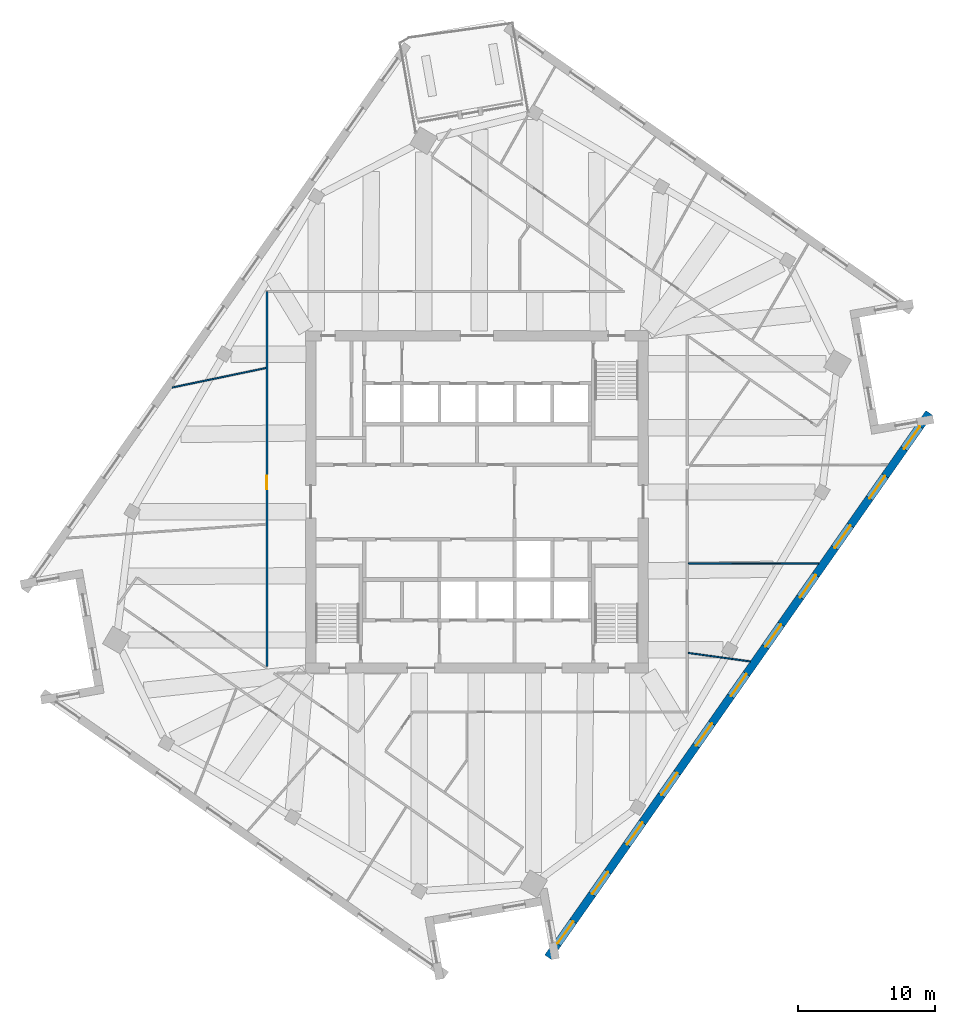
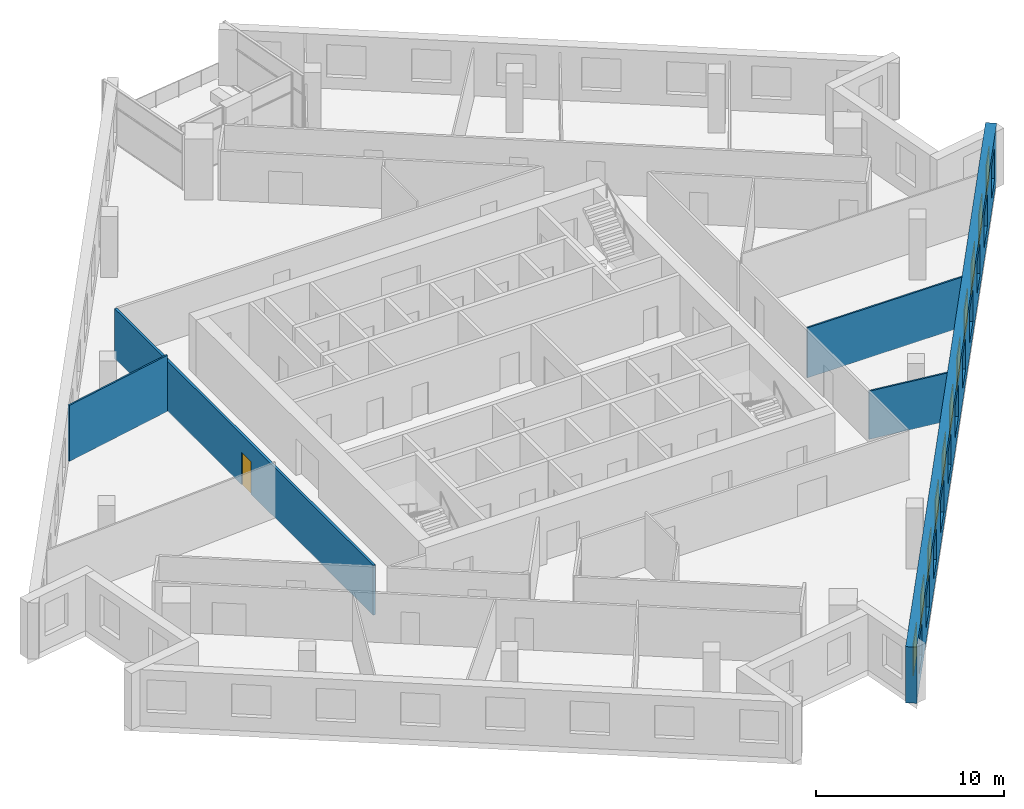
# One storey, part 8 of 13: 11 windows, 5 walls, 1 door, 12 openings.
"""IFC4 building model written with IfcOpenShell, lengths in metres."""

from ifc_helpers import new_model, si_unit, direction, frame, frame_2d, origin, place, context, subcontext, project, spatial, rectangle, extrude, material, layer, layer_set, type_object, element, fill, save


model = new_model("IFC4")

# Units and contexts
model_context = context("Model", 3, precision=1e-05, world=origin(), true_north=direction((0.0, 1.0)))
body_context = subcontext(model_context, "Body", "Model", "MODEL_VIEW")
ifc_project = project(units=[si_unit("LENGTHUNIT", "METRE"), si_unit("AREAUNIT", "SQUARE_METRE"), si_unit("VOLUMEUNIT", "CUBIC_METRE"), si_unit("PLANEANGLEUNIT", "RADIAN"), si_unit("MASSUNIT", "GRAM", prefix="KILO")], contexts=[model_context])

# Site, building, storey
site_placement = place(None, origin())
site = spatial("IfcSite", under=ifc_project, at=site_placement, CompositionType="ELEMENT")
building_placement = place(site_placement, origin())
building = spatial("IfcBuilding", under=site, at=building_placement, Name="Dilmun Exchange Tower", CompositionType="ELEMENT")
storey_placement = place(building_placement, frame((0.0, 0.0, 250.89990234375)))
storey = spatial("IfcBuildingStorey", under=building, at=storey_placement, Name="L59", CompositionType="ELEMENT", Elevation=250.89990234375)

# Wall, opening, door
ifc_material_1 = material(Name="Corridor wall 150")
ifc_layer_1 = layer(ifc_material_1, 0.14990234375)
ifc_layer_set_1 = layer_set([ifc_layer_1], Name="Corridor wall 150")
wall_type_1 = type_object("IfcWallType", Name="Corridor wall 150", PredefinedType="PARTITIONING", material=ifc_layer_set_1)
wall_1_placement = place(storey_placement, frame((-15.39990234375, -12.0458984375, 0.0), z_axis=(0.0, 0.0, 1.0), x_axis=(0.0, 1.0, 0.0)))
wall_1 = element("IfcWall", 1, at=wall_1_placement, inside=storey, type_object=wall_type_1, Name="Corridor wall", PredefinedType="PARTITIONING", context=body_context, shape_type="SweptSolid", body=[
    extrude(rectangle(XDim=27.44580078125, YDim=0.14990234375, at=frame_2d((13.722900390625, 0.0))), origin(), (0.0, 0.0, 1.0), 3.239990234375),
])
opening_1_placement = place(wall_1_placement, frame((12.9609375, 0.0, 0.0)))
opening_1 = element("IfcOpeningElement", 2, at=opening_1_placement, cuts=wall_1, Name="Opening TF57-D03", PredefinedType="OPENING", context=body_context, shape_type="SweptSolid", body=[
    extrude(rectangle(XDim=1.0, YDim=2.10009765625, at=frame_2d((0.5, 1.050048828125))), frame((0.0, 0.0849609375, 0.0), z_axis=(0.0, -1.0, 0.0), x_axis=(1.0, 0.0, 0.0)), (0.0, 0.0, 1.0), 0.169921875),
])
ifc_material_2 = material(Name="Fire door 1000 x 2100")
door_type = type_object("IfcDoorType", Name="Fire door 1000 x 2100", OperationType="NOTDEFINED", PredefinedType="DOOR", material=ifc_material_2)
door_placement = place(opening_1_placement, origin())
door = element("IfcDoor", 3, at=door_placement, inside=storey, type_object=door_type, Name="Door TF57-D03", OperationType="SINGLE_SWING_LEFT", OverallHeight=2.10009765625, OverallWidth=1.0, PredefinedType="DOOR", context=body_context, shape_type="SweptSolid", body=[
    extrude(rectangle(XDim=1.0, YDim=2.10009765625, at=frame_2d((0.5, 1.050048828125))), frame((0.0, 0.02490234375, 0.0), z_axis=(0.0, -1.0, 0.0), x_axis=(1.0, 0.0, 0.0)), (0.0, 0.0, 1.0), 0.050048828125),
])
fill(opening_1, door)

# Walls
ifc_material_3 = material(Name="Partition 100")
ifc_layer_2 = layer(ifc_material_3, 0.10009765625)
ifc_layer_set_2 = layer_set([ifc_layer_2], Name="Partition 100")
wall_type_2 = type_object("IfcWallType", Name="Partition 100", PredefinedType="PARTITIONING", material=ifc_layer_set_2)
wall_2_placement = place(storey_placement, frame((-22.331298828125, 8.3779296875, 0.0), z_axis=(0.0, 0.0, 1.0), x_axis=(0.97903673151, 0.203683770474, 0.0)))
element("IfcWall", 4, at=wall_2_placement, inside=storey, type_object=wall_type_2, Name="Partition", PredefinedType="PARTITIONING", context=body_context, shape_type="SweptSolid", body=[
    extrude(rectangle(XDim=6.99267578125, YDim=0.10009765625, at=frame_2d((3.496337890625, 0.0))), origin(), (0.0, 0.0, 1.0), 3.64013671875),
])
wall_3_placement = place(storey_placement, frame((15.481689453125, -11.068115234375, 0.0), z_axis=(0.0, 0.0, 1.0), x_axis=(0.990680100766, -0.136209169832, 0.0)))
element("IfcWall", 5, at=wall_3_placement, inside=storey, type_object=wall_type_2, Name="Partition", PredefinedType="PARTITIONING", context=body_context, shape_type="SweptSolid", body=[
    extrude(rectangle(XDim=4.572509765625, YDim=0.10009765625, at=frame_2d((2.2861328125, 0.0))), origin(), (0.0, 0.0, 1.0), 3.1201171875),
])
wall_4_placement = place(storey_placement, frame((15.47509765625, -4.502197265625, 0.0), z_axis=(0.0, 0.0, 1.0), x_axis=(0.999996329774, -0.00270932448, 0.0)))
element("IfcWall", 6, at=wall_4_placement, inside=storey, type_object=wall_type_2, Name="Partition", PredefinedType="PARTITIONING", context=body_context, shape_type="SweptSolid", body=[
    extrude(rectangle(XDim=9.5517578125, YDim=0.10009765625, at=frame_2d((4.77587890625, 0.0))), origin(), (0.0, 0.0, 1.0), 3.239990234375),
])

# Wall, openings, windows
ifc_material_4 = material(Name="Precast concrete C50/60", Category="concrete")
ifc_layer_3 = layer(ifc_material_4, 0.60009765625)
ifc_layer_set_3 = layer_set([ifc_layer_3], Name="Precast concrete C50/60")
wall_type_3 = type_object("IfcWallType", Name="Precast stone-clad wall 600", PredefinedType="STANDARD", material=ifc_layer_set_3)
wall_5_placement = place(storey_placement, frame((5.20556640625, -33.3623046875, 0.0), z_axis=(0.0, 0.0, 1.0), x_axis=(0.573577438409, 0.81915134264, 0.0)))
wall_5 = element("IfcWall", 7, at=wall_5_placement, inside=storey, type_object=wall_type_3, Name="Facade wall L59-11", PredefinedType="STANDARD", context=body_context, shape_type="SweptSolid", body=[
    extrude(rectangle(XDim=48.686279296875, YDim=0.60009765625, at=frame_2d((24.34326171875, 0.0))), origin(), (0.0, 0.0, 1.0), 3.64013671875),
])
opening_2_placement = place(wall_5_placement, frame((1.212890625, 0.0, 0.89990234375)))
opening_2 = element("IfcOpeningElement", 8, at=opening_2_placement, cuts=wall_5, Name="Opening W200-210", PredefinedType="OPENING", context=body_context, shape_type="SweptSolid", body=[
    extrude(rectangle(XDim=2.0, YDim=2.10009765625, at=frame_2d((1.0, 1.050048828125))), frame((0.0, 0.31005859375, 0.0), z_axis=(0.0, -1.0, 0.0), x_axis=(1.0, 0.0, 0.0)), (0.0, 0.0, 1.0), 0.6201171875),
])
opening_3_placement = place(wall_5_placement, frame((5.638916015625, 0.0, 0.89990234375)))
opening_3 = element("IfcOpeningElement", 9, at=opening_3_placement, cuts=wall_5, Name="Opening W200-210", PredefinedType="OPENING", context=body_context, shape_type="SweptSolid", body=[
    extrude(rectangle(XDim=2.0, YDim=2.10009765625, at=frame_2d((1.0, 1.050048828125))), frame((0.0, 0.31005859375, 0.0), z_axis=(0.0, -1.0, 0.0), x_axis=(1.0, 0.0, 0.0)), (0.0, 0.0, 1.0), 0.6201171875),
])
opening_4_placement = place(wall_5_placement, frame((10.065185546875, 0.0, 0.89990234375)))
opening_4 = element("IfcOpeningElement", 10, at=opening_4_placement, cuts=wall_5, Name="Opening W200-210", PredefinedType="OPENING", context=body_context, shape_type="SweptSolid", body=[
    extrude(rectangle(XDim=2.0, YDim=2.10009765625, at=frame_2d((1.0, 1.050048828125))), frame((0.0, 0.31005859375, 0.0), z_axis=(0.0, -1.0, 0.0), x_axis=(1.0, 0.0, 0.0)), (0.0, 0.0, 1.0), 0.6201171875),
])
opening_5_placement = place(wall_5_placement, frame((14.4912109375, 0.0, 0.89990234375)))
opening_5 = element("IfcOpeningElement", 11, at=opening_5_placement, cuts=wall_5, Name="Opening W200-210", PredefinedType="OPENING", context=body_context, shape_type="SweptSolid", body=[
    extrude(rectangle(XDim=2.0, YDim=2.10009765625, at=frame_2d((1.0, 1.050048828125))), frame((0.0, 0.31005859375, 0.0), z_axis=(0.0, -1.0, 0.0), x_axis=(1.0, 0.0, 0.0)), (0.0, 0.0, 1.0), 0.6201171875),
])
opening_6_placement = place(wall_5_placement, frame((18.9169921875, 0.0, 0.89990234375)))
opening_6 = element("IfcOpeningElement", 12, at=opening_6_placement, cuts=wall_5, Name="Opening W200-210", PredefinedType="OPENING", context=body_context, shape_type="SweptSolid", body=[
    extrude(rectangle(XDim=2.0, YDim=2.10009765625, at=frame_2d((1.0, 1.050048828125))), frame((0.0, 0.31005859375, 0.0), z_axis=(0.0, -1.0, 0.0), x_axis=(1.0, 0.0, 0.0)), (0.0, 0.0, 1.0), 0.6201171875),
])
opening_7_placement = place(wall_5_placement, frame((23.343017578125, 0.0, 0.89990234375)))
opening_7 = element("IfcOpeningElement", 13, at=opening_7_placement, cuts=wall_5, Name="Opening W200-210", PredefinedType="OPENING", context=body_context, shape_type="SweptSolid", body=[
    extrude(rectangle(XDim=2.0, YDim=2.10009765625, at=frame_2d((1.0, 1.050048828125))), frame((0.0, 0.31005859375, 0.0), z_axis=(0.0, -1.0, 0.0), x_axis=(1.0, 0.0, 0.0)), (0.0, 0.0, 1.0), 0.6201171875),
])
opening_8_placement = place(wall_5_placement, frame((27.769287109375, 0.0, 0.89990234375)))
opening_8 = element("IfcOpeningElement", 14, at=opening_8_placement, cuts=wall_5, Name="Opening W200-210", PredefinedType="OPENING", context=body_context, shape_type="SweptSolid", body=[
    extrude(rectangle(XDim=2.0, YDim=2.10009765625, at=frame_2d((1.0, 1.050048828125))), frame((0.0, 0.31005859375, 0.0), z_axis=(0.0, -1.0, 0.0), x_axis=(1.0, 0.0, 0.0)), (0.0, 0.0, 1.0), 0.6201171875),
])
opening_9_placement = place(wall_5_placement, frame((32.1953125, 0.0, 0.89990234375)))
opening_9 = element("IfcOpeningElement", 15, at=opening_9_placement, cuts=wall_5, Name="Opening W200-210", PredefinedType="OPENING", context=body_context, shape_type="SweptSolid", body=[
    extrude(rectangle(XDim=2.0, YDim=2.10009765625, at=frame_2d((1.0, 1.050048828125))), frame((0.0, 0.31005859375, 0.0), z_axis=(0.0, -1.0, 0.0), x_axis=(1.0, 0.0, 0.0)), (0.0, 0.0, 1.0), 0.6201171875),
])
opening_10_placement = place(wall_5_placement, frame((36.62109375, 0.0, 0.89990234375)))
opening_10 = element("IfcOpeningElement", 16, at=opening_10_placement, cuts=wall_5, Name="Opening W200-210", PredefinedType="OPENING", context=body_context, shape_type="SweptSolid", body=[
    extrude(rectangle(XDim=2.0, YDim=2.10009765625, at=frame_2d((1.0, 1.050048828125))), frame((0.0, 0.31005859375, 0.0), z_axis=(0.0, -1.0, 0.0), x_axis=(1.0, 0.0, 0.0)), (0.0, 0.0, 1.0), 0.6201171875),
])
opening_11_placement = place(wall_5_placement, frame((41.04736328125, 0.0, 0.89990234375)))
opening_11 = element("IfcOpeningElement", 17, at=opening_11_placement, cuts=wall_5, Name="Opening W200-210", PredefinedType="OPENING", context=body_context, shape_type="SweptSolid", body=[
    extrude(rectangle(XDim=2.0, YDim=2.10009765625, at=frame_2d((1.0, 1.050048828125))), frame((0.0, 0.31005859375, 0.0), z_axis=(0.0, -1.0, 0.0), x_axis=(1.0, 0.0, 0.0)), (0.0, 0.0, 1.0), 0.6201171875),
])
opening_12_placement = place(wall_5_placement, frame((45.473388671875, 0.0, 0.89990234375)))
opening_12 = element("IfcOpeningElement", 18, at=opening_12_placement, cuts=wall_5, Name="Opening W200-210", PredefinedType="OPENING", context=body_context, shape_type="SweptSolid", body=[
    extrude(rectangle(XDim=2.0, YDim=2.10009765625, at=frame_2d((1.0, 1.050048828125))), frame((0.0, 0.31005859375, 0.0), z_axis=(0.0, -1.0, 0.0), x_axis=(1.0, 0.0, 0.0)), (0.0, 0.0, 1.0), 0.6201171875),
])
ifc_material_5 = material(Name="Clear low-emissivity glass in aluminium frame", Category="aluminium")
window_type = type_object("IfcWindowType", Name="Punched window 2000 x 2100", PartitioningType="DOUBLE_PANEL_VERTICAL", PredefinedType="WINDOW", material=ifc_material_5)
window_1_placement = place(opening_2_placement, origin())
window_1 = element("IfcWindow", 19, at=window_1_placement, inside=storey, type_object=window_type, Name="Window 12.1", OverallHeight=2.10009765625, OverallWidth=2.0, PartitioningType="SINGLE_PANEL", PredefinedType="WINDOW", context=body_context, shape_type="SweptSolid", body=[
    extrude(rectangle(XDim=2.0, YDim=2.10009765625, at=frame_2d((1.0, 1.050048828125))), frame((0.0, 0.030029296875, 0.0), z_axis=(0.0, -1.0, 0.0), x_axis=(1.0, 0.0, 0.0)), (0.0, 0.0, 1.0), 0.06005859375),
])
fill(opening_2, window_1)
window_2_placement = place(opening_3_placement, origin())
window_2 = element("IfcWindow", 20, at=window_2_placement, inside=storey, type_object=window_type, Name="Window 12.2", OverallHeight=2.10009765625, OverallWidth=2.0, PartitioningType="SINGLE_PANEL", PredefinedType="WINDOW", context=body_context, shape_type="SweptSolid", body=[
    extrude(rectangle(XDim=2.0, YDim=2.10009765625, at=frame_2d((1.0, 1.050048828125))), frame((0.0, 0.030029296875, 0.0), z_axis=(0.0, -1.0, 0.0), x_axis=(1.0, 0.0, 0.0)), (0.0, 0.0, 1.0), 0.06005859375),
])
fill(opening_3, window_2)
window_3_placement = place(opening_4_placement, origin())
window_3 = element("IfcWindow", 21, at=window_3_placement, inside=storey, type_object=window_type, Name="Window 12.3", OverallHeight=2.10009765625, OverallWidth=2.0, PartitioningType="SINGLE_PANEL", PredefinedType="WINDOW", context=body_context, shape_type="SweptSolid", body=[
    extrude(rectangle(XDim=2.0, YDim=2.10009765625, at=frame_2d((1.0, 1.050048828125))), frame((0.0, 0.030029296875, 0.0), z_axis=(0.0, -1.0, 0.0), x_axis=(1.0, 0.0, 0.0)), (0.0, 0.0, 1.0), 0.06005859375),
])
fill(opening_4, window_3)
window_4_placement = place(opening_5_placement, origin())
window_4 = element("IfcWindow", 22, at=window_4_placement, inside=storey, type_object=window_type, Name="Window 12.4", OverallHeight=2.10009765625, OverallWidth=2.0, PartitioningType="SINGLE_PANEL", PredefinedType="WINDOW", context=body_context, shape_type="SweptSolid", body=[
    extrude(rectangle(XDim=2.0, YDim=2.10009765625, at=frame_2d((1.0, 1.050048828125))), frame((0.0, 0.030029296875, 0.0), z_axis=(0.0, -1.0, 0.0), x_axis=(1.0, 0.0, 0.0)), (0.0, 0.0, 1.0), 0.06005859375),
])
fill(opening_5, window_4)
window_5_placement = place(opening_6_placement, origin())
window_5 = element("IfcWindow", 23, at=window_5_placement, inside=storey, type_object=window_type, Name="Window 12.5", OverallHeight=2.10009765625, OverallWidth=2.0, PartitioningType="SINGLE_PANEL", PredefinedType="WINDOW", context=body_context, shape_type="SweptSolid", body=[
    extrude(rectangle(XDim=2.0, YDim=2.10009765625, at=frame_2d((1.0, 1.050048828125))), frame((0.0, 0.030029296875, 0.0), z_axis=(0.0, -1.0, 0.0), x_axis=(1.0, 0.0, 0.0)), (0.0, 0.0, 1.0), 0.06005859375),
])
fill(opening_6, window_5)
window_6_placement = place(opening_7_placement, origin())
window_6 = element("IfcWindow", 24, at=window_6_placement, inside=storey, type_object=window_type, Name="Window 12.6", OverallHeight=2.10009765625, OverallWidth=2.0, PartitioningType="SINGLE_PANEL", PredefinedType="WINDOW", context=body_context, shape_type="SweptSolid", body=[
    extrude(rectangle(XDim=2.0, YDim=2.10009765625, at=frame_2d((1.0, 1.050048828125))), frame((0.0, 0.030029296875, 0.0), z_axis=(0.0, -1.0, 0.0), x_axis=(1.0, 0.0, 0.0)), (0.0, 0.0, 1.0), 0.06005859375),
])
fill(opening_7, window_6)
window_7_placement = place(opening_8_placement, origin())
window_7 = element("IfcWindow", 25, at=window_7_placement, inside=storey, type_object=window_type, Name="Window 12.7", OverallHeight=2.10009765625, OverallWidth=2.0, PartitioningType="SINGLE_PANEL", PredefinedType="WINDOW", context=body_context, shape_type="SweptSolid", body=[
    extrude(rectangle(XDim=2.0, YDim=2.10009765625, at=frame_2d((1.0, 1.050048828125))), frame((0.0, 0.030029296875, 0.0), z_axis=(0.0, -1.0, 0.0), x_axis=(1.0, 0.0, 0.0)), (0.0, 0.0, 1.0), 0.06005859375),
])
fill(opening_8, window_7)
window_8_placement = place(opening_9_placement, origin())
window_8 = element("IfcWindow", 26, at=window_8_placement, inside=storey, type_object=window_type, Name="Window 12.8", OverallHeight=2.10009765625, OverallWidth=2.0, PartitioningType="SINGLE_PANEL", PredefinedType="WINDOW", context=body_context, shape_type="SweptSolid", body=[
    extrude(rectangle(XDim=2.0, YDim=2.10009765625, at=frame_2d((1.0, 1.050048828125))), frame((0.0, 0.030029296875, 0.0), z_axis=(0.0, -1.0, 0.0), x_axis=(1.0, 0.0, 0.0)), (0.0, 0.0, 1.0), 0.06005859375),
])
fill(opening_9, window_8)
window_9_placement = place(opening_10_placement, origin())
window_9 = element("IfcWindow", 27, at=window_9_placement, inside=storey, type_object=window_type, Name="Window 12.9", OverallHeight=2.10009765625, OverallWidth=2.0, PartitioningType="SINGLE_PANEL", PredefinedType="WINDOW", context=body_context, shape_type="SweptSolid", body=[
    extrude(rectangle(XDim=2.0, YDim=2.10009765625, at=frame_2d((1.0, 1.050048828125))), frame((0.0, 0.030029296875, 0.0), z_axis=(0.0, -1.0, 0.0), x_axis=(1.0, 0.0, 0.0)), (0.0, 0.0, 1.0), 0.06005859375),
])
fill(opening_10, window_9)
window_10_placement = place(opening_11_placement, origin())
window_10 = element("IfcWindow", 28, at=window_10_placement, inside=storey, type_object=window_type, Name="Window 12.10", OverallHeight=2.10009765625, OverallWidth=2.0, PartitioningType="SINGLE_PANEL", PredefinedType="WINDOW", context=body_context, shape_type="SweptSolid", body=[
    extrude(rectangle(XDim=2.0, YDim=2.10009765625, at=frame_2d((1.0, 1.050048828125))), frame((0.0, 0.030029296875, 0.0), z_axis=(0.0, -1.0, 0.0), x_axis=(1.0, 0.0, 0.0)), (0.0, 0.0, 1.0), 0.06005859375),
])
fill(opening_11, window_10)
window_11_placement = place(opening_12_placement, origin())
window_11 = element("IfcWindow", 29, at=window_11_placement, inside=storey, type_object=window_type, Name="Window 12.11", OverallHeight=2.10009765625, OverallWidth=2.0, PartitioningType="SINGLE_PANEL", PredefinedType="WINDOW", context=body_context, shape_type="SweptSolid", body=[
    extrude(rectangle(XDim=2.0, YDim=2.10009765625, at=frame_2d((1.0, 1.050048828125))), frame((0.0, 0.030029296875, 0.0), z_axis=(0.0, -1.0, 0.0), x_axis=(1.0, 0.0, 0.0)), (0.0, 0.0, 1.0), 0.06005859375),
])
fill(opening_12, window_11)

save(model, "model.ifc")
